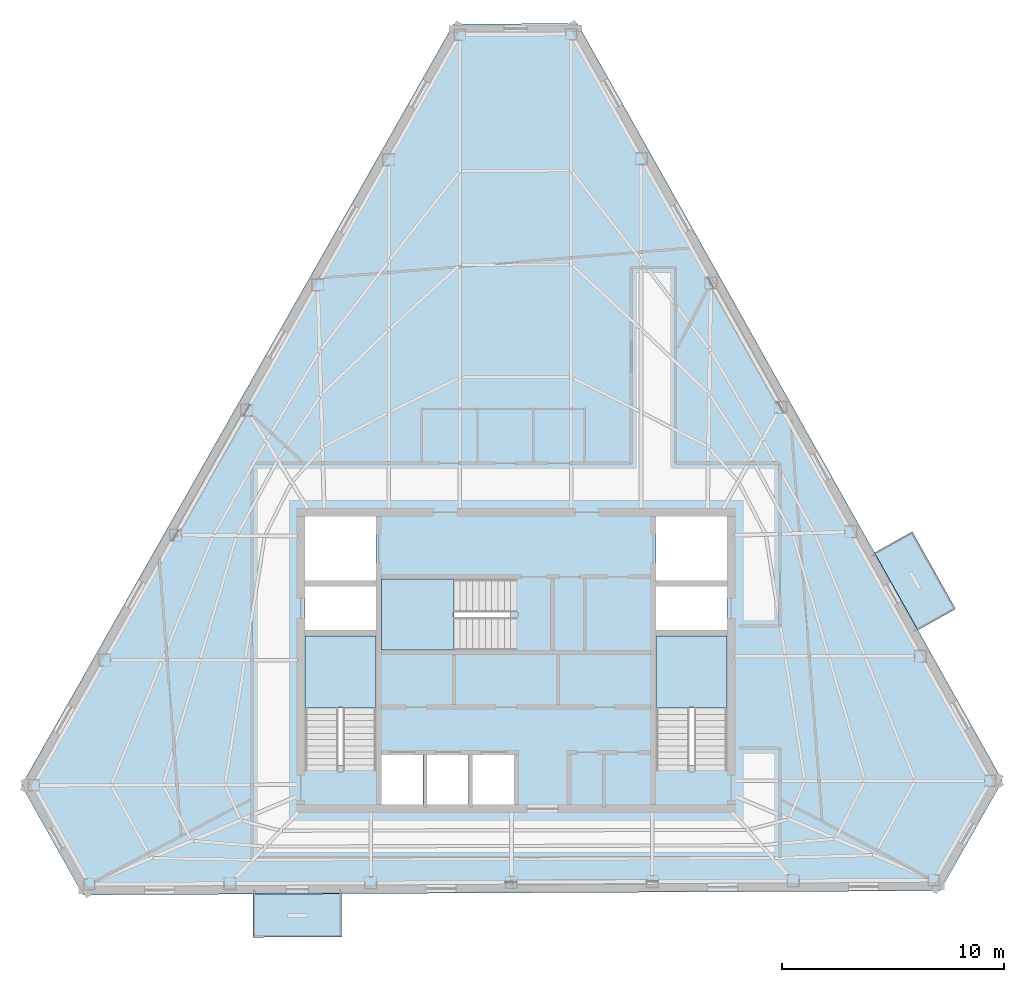
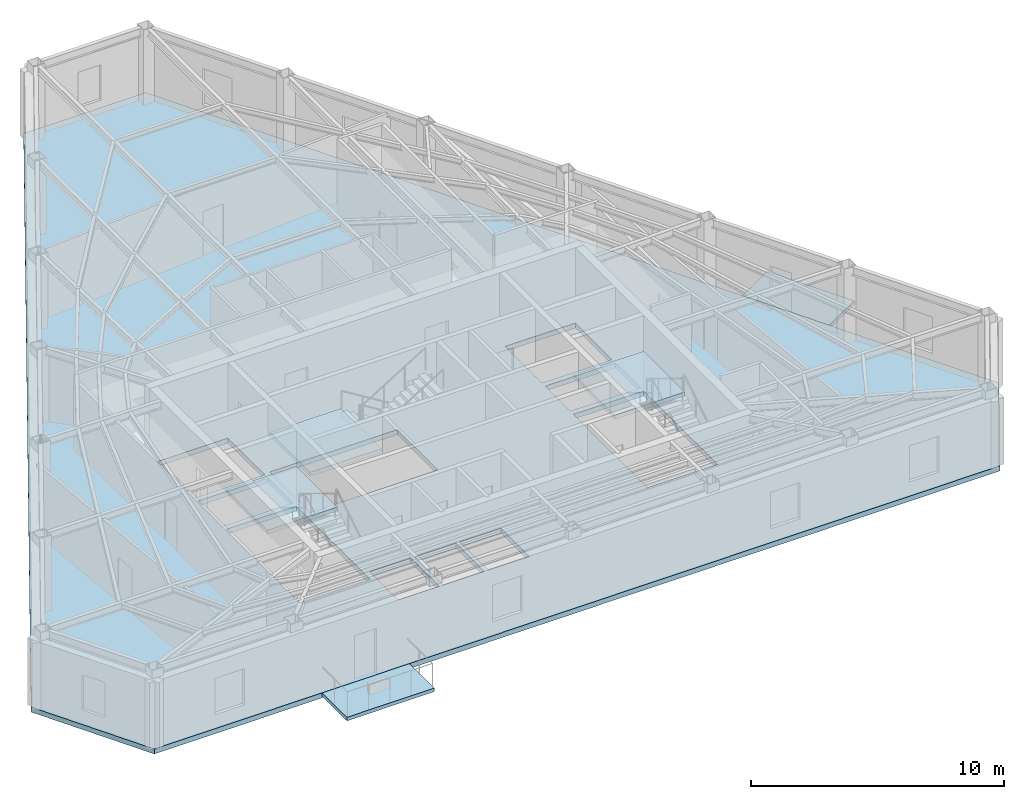
# One storey, part 3 of 9: 6 slabs, 3 elements without a shape of their own.
"""IFC4 building model written with IfcOpenShell, lengths in metres."""

from ifc_helpers import new_model, si_unit, direction, frame, origin, place, context, subcontext, project, spatial, polyline, outline, extrude, material, layer, layer_set, type_object, element, aggregate, save


model = new_model("IFC4")

# Units and contexts
model_context = context("Model", 3, precision=1e-05, world=origin(), true_north=direction((0.0, 1.0)))
body_context = subcontext(model_context, "Body", "Model", "MODEL_VIEW")
ifc_project = project(units=[si_unit("LENGTHUNIT", "METRE"), si_unit("AREAUNIT", "SQUARE_METRE"), si_unit("VOLUMEUNIT", "CUBIC_METRE"), si_unit("PLANEANGLEUNIT", "RADIAN"), si_unit("MASSUNIT", "GRAM", prefix="KILO")], contexts=[model_context])

# Site, building, storey
site_placement = place(None, origin())
site = spatial("IfcSite", under=ifc_project, at=site_placement, CompositionType="ELEMENT")
building_placement = place(site_placement, origin())
building = spatial("IfcBuilding", under=site, at=building_placement, Name="Kavelnor Concourse Tower", CompositionType="ELEMENT")
storey_placement = place(building_placement, frame((0.0, 0.0, 301.10009765625)))
storey = spatial("IfcBuildingStorey", under=building, at=storey_placement, Name="L76", CompositionType="ELEMENT", Elevation=301.10009765625)

# Slabs
ifc_material = material(Name="Concrete C40/50", Category="concrete")
ifc_layer_1 = layer(ifc_material, 0.169921875, Name="Concrete C40/50")
ifc_layer_set_1 = layer_set([ifc_layer_1], Name="Concrete C40/50")
slab_type_1 = type_object("IfcSlabType", Name="SLB-BALCONY-170", PredefinedType="FLOOR", material=ifc_layer_set_1)
slab_1_placement = place(storey_placement, frame((0.0, 0.0, -0.170166015625)))
element("IfcSlab", 1, at=slab_1_placement, inside=storey, type_object=slab_type_1, Name="L76 Cantilevered Tree Balcony Slab 1", PredefinedType="FLOOR", context=body_context, shape_type="SweptSolid", body=[
    extrude(outline(polyline([(30.13623046875, 3.622802734375), (26.13623046875, 3.60400390625), (26.126953125, 5.553955078125), (30.126953125, 5.572998046875), (30.13623046875, 3.622802734375)])), origin(), (0.0, 0.0, 1.0), 0.170166015625),
])
slab_2_placement = place(storey_placement, frame((0.0, 0.0, -0.170166015625)))
element("IfcSlab", 2, at=slab_2_placement, inside=storey, type_object=slab_type_1, Name="L76 Cantilevered Tree Balcony Slab 2", PredefinedType="FLOOR", context=body_context, shape_type="SweptSolid", body=[
    extrude(outline(polyline([(55.87548828125, 21.906982421875), (57.833251953125, 18.4189453125), (56.1328125, 17.464599609375), (54.175048828125, 20.95263671875), (55.87548828125, 21.906982421875)])), origin(), (0.0, 0.0, 1.0), 0.170166015625),
])

# Stair, slab
stair_type = type_object("IfcStairType", Name="STR-CORE-1500", PredefinedType="HALF_TURN_STAIR", material=ifc_material)
stair_1_placement = place(storey_placement, origin())
stair_1 = element("IfcStair", 3, at=stair_1_placement, inside=storey, type_object=stair_type, Name="L76 ST1", PredefinedType="HALF_TURN_STAIR")
ifc_layer_2 = layer(ifc_material, 0.199951171875, Name="Concrete C40/50")
ifc_layer_set_2 = layer_set([ifc_layer_2], Name="Concrete C40/50")
slab_type_2 = type_object("IfcSlabType", Name="SLB-LANDING-200", PredefinedType="LANDING", material=ifc_layer_set_2)
slab_3_placement = place(storey_placement, frame((0.0, 0.0, 1.724853515625)))
slab_3 = element("IfcSlab", 4, at=slab_3_placement, type_object=slab_type_2, Name="ST1 landing 1", PredefinedType="LANDING", context=body_context, shape_type="SweptSolid", body=[
    extrude(outline(polyline([(31.679931640625, 13.949951171875), (31.679931640625, 17.199951171875), (28.47998046875, 17.199951171875), (28.47998046875, 13.949951171875), (31.679931640625, 13.949951171875)])), origin(), (0.0, 0.0, 1.0), 0.199951171875),
])
aggregate(stair_1, [slab_3])

stair_2_placement = place(storey_placement, origin())
stair_2 = element("IfcStair", 5, at=stair_2_placement, inside=storey, type_object=stair_type, Name="L76 ST2", PredefinedType="HALF_TURN_STAIR")
slab_4_placement = place(storey_placement, frame((0.0, 0.0, 1.724853515625)))
slab_4 = element("IfcSlab", 6, at=slab_4_placement, type_object=slab_type_2, Name="ST2 landing 1", PredefinedType="LANDING", context=body_context, shape_type="SweptSolid", body=[
    extrude(outline(polyline([(47.52001953125, 13.949951171875), (47.52001953125, 17.199951171875), (44.320068359375, 17.199951171875), (44.320068359375, 13.949951171875), (47.52001953125, 13.949951171875)])), origin(), (0.0, 0.0, 1.0), 0.199951171875),
])
aggregate(stair_2, [slab_4])

stair_3_placement = place(storey_placement, origin())
stair_3 = element("IfcStair", 7, at=stair_3_placement, inside=storey, type_object=stair_type, Name="L76 ST3", PredefinedType="HALF_TURN_STAIR")
slab_5_placement = place(storey_placement, frame((0.0, 0.0, 1.724853515625)))
slab_5 = element("IfcSlab", 8, at=slab_5_placement, type_object=slab_type_2, Name="ST3 landing 1", PredefinedType="LANDING", context=body_context, shape_type="SweptSolid", body=[
    extrude(outline(polyline([(35.18994140625, 19.760009765625), (31.93994140625, 19.760009765625), (31.93994140625, 16.56005859375), (35.18994140625, 16.56005859375), (35.18994140625, 19.760009765625)])), origin(), (0.0, 0.0, 1.0), 0.199951171875),
])
aggregate(stair_3, [slab_5])

# Slab
ifc_layer_3 = layer(ifc_material, 0.239990234375, Name="Concrete C40/50")
ifc_layer_set_3 = layer_set([ifc_layer_3], Name="Concrete C40/50")
slab_type_3 = type_object("IfcSlabType", Name="SLB-OFFICE-240", PredefinedType="FLOOR", material=ifc_layer_set_3)
slab_6_placement = place(storey_placement, frame((0.0, 0.0, -0.239990234375)))
element("IfcSlab", 9, at=slab_6_placement, inside=storey, type_object=slab_type_3, Name="L76 Composite Structural Floor Slab", PredefinedType="FLOOR", context=body_context, shape_type="SweptSolid", body=[
    extrude(outline(polyline([(40.77197265625, 44.833984375), (35.181884765625, 44.807373046875), (15.687255859375, 10.456298828125), (18.459228515625, 5.517333984375), (57.1298828125, 5.701416015625), (59.947998046875, 10.666748046875), (40.77197265625, 44.833984375)]), holes=[polyline([(28.47998046875, 11.3798828125), (31.679931640625, 11.3798828125), (31.679931640625, 17.199951171875), (28.47998046875, 17.199951171875), (28.47998046875, 11.3798828125)]), polyline([(44.320068359375, 11.3798828125), (47.52001953125, 11.3798828125), (47.52001953125, 17.199951171875), (44.320068359375, 17.199951171875), (44.320068359375, 11.3798828125)]), polyline([(31.93994140625, 16.56005859375), (37.760009765625, 16.56005859375), (37.760009765625, 19.760009765625), (31.93994140625, 19.760009765625), (31.93994140625, 16.56005859375)]), polyline([(28.47998046875, 19.699951171875), (31.679931640625, 19.699951171875), (31.679931640625, 22.60009765625), (28.47998046875, 22.60009765625), (28.47998046875, 19.699951171875)]), polyline([(44.320068359375, 19.699951171875), (47.52001953125, 19.699951171875), (47.52001953125, 22.60009765625), (44.320068359375, 22.60009765625), (44.320068359375, 19.699951171875)]), polyline([(31.93994140625, 9.60009765625), (33.81005859375, 9.60009765625), (33.81005859375, 11.840087890625), (31.93994140625, 11.840087890625), (31.93994140625, 9.60009765625)]), polyline([(33.989990234375, 9.60009765625), (35.860107421875, 9.60009765625), (35.860107421875, 11.840087890625), (33.989990234375, 11.840087890625), (33.989990234375, 9.60009765625)]), polyline([(36.0400390625, 9.60009765625), (37.909912109375, 9.60009765625), (37.909912109375, 11.840087890625), (36.0400390625, 11.840087890625), (36.0400390625, 9.60009765625)]), polyline([(28.47998046875, 17.4599609375), (31.679931640625, 17.4599609375), (31.679931640625, 19.43994140625), (28.47998046875, 19.43994140625), (28.47998046875, 17.4599609375)]), polyline([(44.320068359375, 17.4599609375), (47.52001953125, 17.4599609375), (47.52001953125, 19.43994140625), (44.320068359375, 19.43994140625), (44.320068359375, 17.4599609375)])]), origin(), (0.0, 0.0, 1.0), 0.239990234375),
])

save(model, "model.ifc")
